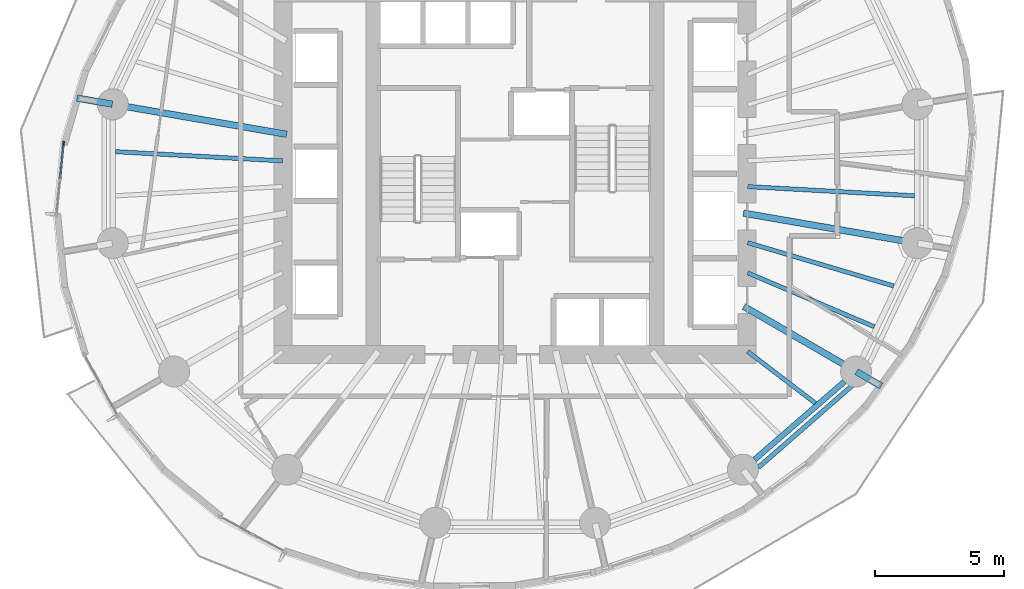
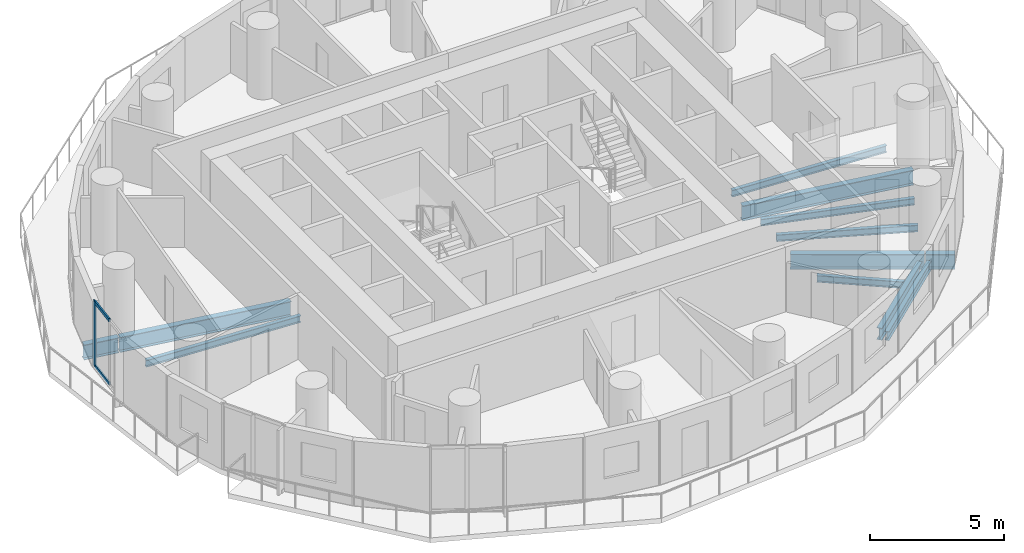
# One storey, part 3 of 14: 12 beams, 3 members, 1 element without a shape of its own.
"""IFC4 building model written with IfcOpenShell, lengths in metres."""

from ifc_helpers import new_model, si_unit, direction, frame, origin, origin_2d, place, context, subcontext, project, spatial, rectangle, i_section, extrude, material, material_profile, profile_set, type_object, element, aggregate, save


model = new_model("IFC4")

# Units and contexts
model_context = context("Model", 3, precision=1e-05, world=origin(), true_north=direction((0.0, 1.0)))
body_context = subcontext(model_context, "Body", "Model", "MODEL_VIEW")
ifc_project = project(units=[si_unit("LENGTHUNIT", "METRE"), si_unit("AREAUNIT", "SQUARE_METRE"), si_unit("VOLUMEUNIT", "CUBIC_METRE"), si_unit("PLANEANGLEUNIT", "RADIAN"), si_unit("MASSUNIT", "GRAM", prefix="KILO")], contexts=[model_context])

# Site, building, storey
site_placement = place(None, origin())
site = spatial("IfcSite", under=ifc_project, at=site_placement, CompositionType="ELEMENT")
building_placement = place(site_placement, origin())
building = spatial("IfcBuilding", under=site, at=building_placement, Name="Veldorim Arch Residences", CompositionType="ELEMENT")
storey_placement = place(building_placement, frame((0.0, 0.0, 99.679931640625)))
storey = spatial("IfcBuildingStorey", under=building, at=storey_placement, Name="L29", CompositionType="ELEMENT", Elevation=99.679931640625)

# Beams
ifc_material_1 = material(Name="Steel S355", Category="steel")
ifc_material_profile_1 = material_profile(ifc_material_1, i_section(OverallWidth=0.2119140625, OverallDepth=0.54443359375, WebThickness=0.0126953125, FlangeThickness=0.021240234375, at=origin_2d()), Name="UB533x210x122")
ifc_profile_set_1 = profile_set([ifc_material_profile_1], Name="Steel S355")
beam_type_1 = type_object("IfcBeamType", Name="Structural Steel Beam UB533x210x122", PredefinedType="BEAM", material=ifc_profile_set_1)
beam_1_placement = place(storey_placement, frame((41.28662109375, 12.9189453125, -0.51220703125), z_axis=(0.755244952556, 0.655442645576, 0.0), x_axis=(-0.655442645576, 0.755244952556, 0.0)))
element("IfcBeam", 1, at=beam_1_placement, inside=storey, type_object=beam_type_1, Name="L29 perimeter ring tie beam 14", PredefinedType="BEAM", context=body_context, shape_type="SweptSolid", body=[
    extrude(i_section(OverallWidth=0.2119140625, OverallDepth=0.54443359375, WebThickness=0.0126953125, FlangeThickness=0.021240234375, at=origin_2d()), origin(), (0.0, 0.0, 1.0), 4.608642578125),
])
ifc_material_2 = material(Name="Steel S355", Category="steel")
ifc_material_profile_2 = material_profile(ifc_material_2, i_section(OverallWidth=0.25439453125, OverallDepth=0.6875, WebThickness=0.01318359375, FlangeThickness=0.02099609375, at=origin_2d()), Name="UB686x254x152")
ifc_profile_set_2 = profile_set([ifc_material_profile_2], Name="Steel S355")
beam_type_2 = type_object("IfcBeamType", Name="Structural Steel GIRDER UB686x254x152", PredefinedType="USERDEFINED", material=ifc_profile_set_2)
beam_2_placement = place(storey_placement, frame((23.147705078125, 25.5283203125, -0.583740234375), z_axis=(-0.985426622718, 0.17010106184, 0.0), x_axis=(-0.17010106184, -0.985426622718, 0.0)))
element("IfcBeam", 2, at=beam_2_placement, inside=storey, type_object=beam_type_2, Name="L29 radial floor girder 08", ObjectType="GIRDER", PredefinedType="USERDEFINED", context=body_context, shape_type="SweptSolid", body=[
    extrude(i_section(OverallWidth=0.25439453125, OverallDepth=0.6875, WebThickness=0.01318359375, FlangeThickness=0.02099609375, at=origin_2d()), origin(), (0.0, 0.0, 1.0), 6.82177734375),
])
beam_3_placement = place(storey_placement, frame((16.3857421875, 26.695556640625, -0.583740234375), z_axis=(-0.985409418186, 0.170200700791, 0.0), x_axis=(-0.170200700791, -0.985409418186, 0.0)))
element("IfcBeam", 3, at=beam_3_placement, inside=storey, type_object=beam_type_2, Name="L29 radial edge cantilever girder 08", ObjectType="GIRDER", PredefinedType="USERDEFINED", context=body_context, shape_type="SweptSolid", body=[
    extrude(i_section(OverallWidth=0.25439453125, OverallDepth=0.6875, WebThickness=0.01318359375, FlangeThickness=0.02099609375, at=origin_2d()), origin(), (0.0, 0.0, 1.0), 1.391357421875),
])
beam_4_placement = place(storey_placement, frame((40.8701171875, 18.85595703125, -0.583740234375), z_axis=(0.865048957682, -0.501687453314, 0.0), x_axis=(0.501687453314, 0.865048957682, 0.0)))
element("IfcBeam", 4, at=beam_4_placement, inside=storey, type_object=beam_type_2, Name="L29 radial floor girder 15", ObjectType="GIRDER", PredefinedType="USERDEFINED", context=body_context, shape_type="SweptSolid", body=[
    extrude(i_section(OverallWidth=0.25439453125, OverallDepth=0.6875, WebThickness=0.01318359375, FlangeThickness=0.02099609375, at=origin_2d()), origin(), (0.0, 0.0, 1.0), 5.009033203125),
])
beam_5_placement = place(storey_placement, frame((45.23779296875, 16.322998046875, -0.583740234375), z_axis=(0.86508299699, -0.501628755474, 0.0), x_axis=(0.501628755474, 0.86508299699, 0.0)))
element("IfcBeam", 5, at=beam_5_placement, inside=storey, type_object=beam_type_2, Name="L29 radial edge cantilever girder 15", ObjectType="GIRDER", PredefinedType="USERDEFINED", context=body_context, shape_type="SweptSolid", body=[
    extrude(i_section(OverallWidth=0.25439453125, OverallDepth=0.6875, WebThickness=0.01318359375, FlangeThickness=0.02099609375, at=origin_2d()), origin(), (0.0, 0.0, 1.0), 1.104248046875),
])
beam_6_placement = place(storey_placement, frame((40.852294921875, 22.4716796875, -0.583740234375), z_axis=(0.985426622718, -0.17010106184, 0.0), x_axis=(0.17010106184, 0.985426622718, 0.0)))
element("IfcBeam", 6, at=beam_6_placement, inside=storey, type_object=beam_type_2, Name="L29 radial floor girder 16", ObjectType="GIRDER", PredefinedType="USERDEFINED", context=body_context, shape_type="SweptSolid", body=[
    extrude(i_section(OverallWidth=0.25439453125, OverallDepth=0.6875, WebThickness=0.01318359375, FlangeThickness=0.02099609375, at=origin_2d()), origin(), (0.0, 0.0, 1.0), 6.82177734375),
])
ifc_material_3 = material(Name="Steel S355", Category="steel")
ifc_material_profile_3 = material_profile(ifc_material_3, i_section(OverallWidth=0.165771484375, OverallDepth=0.306640625, WebThickness=0.006591796875, FlangeThickness=0.01171875, at=origin_2d()), Name="UB305x165x46")
ifc_profile_set_3 = profile_set([ifc_material_profile_3], Name="Steel S355")
beam_type_3 = type_object("IfcBeamType", Name="Structural Steel Joist UB305x165x46", PredefinedType="JOIST", material=ifc_profile_set_3)
beam_7_placement = place(storey_placement, frame((22.97998046875, 24.498291015625, -0.393310546875), z_axis=(-0.99847713097, 0.055167190702, 0.0), x_axis=(-0.055167190702, -0.99847713097, 0.0)))
element("IfcBeam", 7, at=beam_7_placement, inside=storey, type_object=beam_type_3, Name="L29 secondary radial floor joist 08-1", PredefinedType="JOIST", context=body_context, shape_type="SweptSolid", body=[
    extrude(i_section(OverallWidth=0.165771484375, OverallDepth=0.306640625, WebThickness=0.006591796875, FlangeThickness=0.01171875, at=origin_2d()), origin(), (0.0, 0.0, 1.0), 6.474365234375),
])
beam_8_placement = place(storey_placement, frame((41.015869140625, 17.111572265625, -0.393310546875), z_axis=(0.794594763594, -0.60714014994, 0.0), x_axis=(0.60714014994, 0.794594763594, 0.0)))
element("IfcBeam", 8, at=beam_8_placement, inside=storey, type_object=beam_type_3, Name="L29 secondary radial floor joist 14-2", PredefinedType="JOIST", context=body_context, shape_type="SweptSolid", body=[
    extrude(i_section(OverallWidth=0.165771484375, OverallDepth=0.306640625, WebThickness=0.006591796875, FlangeThickness=0.01171875, at=origin_2d()), origin(), (0.0, 0.0, 1.0), 3.30419921875),
])
beam_9_placement = place(storey_placement, frame((41.018310546875, 20.158447265625, -0.393310546875), z_axis=(0.919997395122, -0.391924473552, 0.0), x_axis=(0.391924473552, 0.919997395122, 0.0)))
element("IfcBeam", 9, at=beam_9_placement, inside=storey, type_object=beam_type_3, Name="L29 secondary radial floor joist 15-1", PredefinedType="JOIST", context=body_context, shape_type="SweptSolid", body=[
    extrude(i_section(OverallWidth=0.165771484375, OverallDepth=0.306640625, WebThickness=0.006591796875, FlangeThickness=0.01171875, at=origin_2d()), origin(), (0.0, 0.0, 1.0), 5.334716796875),
])
beam_10_placement = place(storey_placement, frame((41.019287109375, 21.326416015625, -0.393310546875), z_axis=(0.958753061488, -0.284240333324, 0.0), x_axis=(0.284240333324, 0.958753061488, 0.0)))
element("IfcBeam", 10, at=beam_10_placement, inside=storey, type_object=beam_type_3, Name="L29 secondary radial floor joist 15-2", PredefinedType="JOIST", context=body_context, shape_type="SweptSolid", body=[
    extrude(i_section(OverallWidth=0.165771484375, OverallDepth=0.306640625, WebThickness=0.006591796875, FlangeThickness=0.01171875, at=origin_2d()), origin(), (0.0, 0.0, 1.0), 5.906005859375),
])
beam_11_placement = place(storey_placement, frame((41.02001953125, 23.501708984375, -0.393310546875), z_axis=(0.99847713097, -0.055167190702, 0.0), x_axis=(0.055167190702, 0.99847713097, 0.0)))
element("IfcBeam", 11, at=beam_11_placement, inside=storey, type_object=beam_type_3, Name="L29 secondary radial floor joist 16-1", PredefinedType="JOIST", context=body_context, shape_type="SweptSolid", body=[
    extrude(i_section(OverallWidth=0.165771484375, OverallDepth=0.306640625, WebThickness=0.006591796875, FlangeThickness=0.01171875, at=origin_2d()), origin(), (0.0, 0.0, 1.0), 6.474365234375),
])
ifc_material_4 = material(Name="Steel S355", Category="steel")
ifc_material_profile_4 = material_profile(ifc_material_4, i_section(OverallWidth=0.1787109375, OverallDepth=0.409423828125, WebThickness=0.0087890625, FlangeThickness=0.014404296875, at=origin_2d()), Name="UB406x178x67")
ifc_profile_set_4 = profile_set([ifc_material_profile_4], Name="Steel S355")
beam_type_4 = type_object("IfcBeamType", Name="Structural Steel Spandrel UB406x178x67", PredefinedType="SPANDREL", material=ifc_profile_set_4)
beam_12_placement = place(storey_placement, frame((41.4326171875, 12.611572265625, -0.464599609375), z_axis=(0.753323239074, 0.65765043714, 0.0), x_axis=(-0.65765043714, 0.753323239074, 0.0)))
element("IfcBeam", 12, at=beam_12_placement, inside=storey, type_object=beam_type_4, Name="L29 perimeter chord spandrel beam 14", PredefinedType="SPANDREL", context=body_context, shape_type="SweptSolid", body=[
    extrude(i_section(OverallWidth=0.1787109375, OverallDepth=0.409423828125, WebThickness=0.0087890625, FlangeThickness=0.014404296875, at=origin_2d()), origin(), (0.0, 0.0, 1.0), 4.879150390625),
])

# Curtain wall, members
ifc_material_5 = material(Name="Aluminium", Category="aluminium")
curtain_wall_type = type_object("IfcCurtainWallType", Name="Zone 2 Solar-Control Unitised Curtain Wall", PredefinedType="NOTDEFINED", material=ifc_material_5)
curtain_wall_placement = place(storey_placement, origin())
curtain_wall = element("IfcCurtainWall", 13, at=curtain_wall_placement, inside=storey, type_object=curtain_wall_type, Name="L29 unitised curtain wall bay 16", PredefinedType="NOTDEFINED")
ifc_material_6 = material(Name="Aluminium", Category="aluminium")
ifc_material_profile_5 = material_profile(ifc_material_6, rectangle(XDim=0.06494140625, YDim=0.1650390625, at=origin_2d()), Name="ALU_MUL_65x165")
ifc_profile_set_5 = profile_set([ifc_material_profile_5], Name="Aluminium")
member_type_1 = type_object("IfcMemberType", Name="Zone 2 Solar-Control Unitised Curtain Wall Mullion 65x165", PredefinedType="MULLION", material=ifc_profile_set_5)
member_1_placement = place(storey_placement, frame((14.49755859375, 25.170654296875, 0.0), z_axis=(0.0, 0.0, 1.0), x_axis=(-0.995292751709, 0.096914077387, 0.0)))
member_1 = element("IfcMember", 14, at=member_1_placement, type_object=member_type_1, Name="CW-Z2 mullion 3", PredefinedType="MULLION", context=body_context, shape_type="SweptSolid", body=[
    extrude(rectangle(XDim=0.06494140625, YDim=0.1650390625, at=origin_2d()), origin(), (0.0, 0.0, 1.0), 2.9599609375),
])
ifc_material_7 = material(Name="Aluminium", Category="aluminium")
ifc_material_profile_6 = material_profile(ifc_material_7, rectangle(XDim=0.06494140625, YDim=0.14501953125, at=origin_2d()), Name="ALU_TRN_65x145")
ifc_profile_set_6 = profile_set([ifc_material_profile_6], Name="Aluminium")
member_type_2 = type_object("IfcMemberType", Name="Zone 2 Solar-Control Unitised Curtain Wall Transom 65x145", PredefinedType="USERDEFINED", material=ifc_profile_set_6)
member_2_placement = place(storey_placement, frame((14.366455078125, 23.8251953125, 0.032470703125), z_axis=(0.096956909459, 0.995288580115, 0.0), x_axis=(-0.995288580115, 0.096956909459, 0.0)))
member_2 = element("IfcMember", 15, at=member_2_placement, type_object=member_type_2, Name="CW-Z2 transom 2.1", ObjectType="TRANSOM", PredefinedType="USERDEFINED", context=body_context, shape_type="SweptSolid", body=[
    extrude(rectangle(XDim=0.06494140625, YDim=0.14501953125, at=origin_2d()), origin(), (0.0, 0.0, 1.0), 1.3193359375),
])
member_3_placement = place(storey_placement, frame((14.366455078125, 23.8251953125, 2.927490234375), z_axis=(0.096956909459, 0.995288580115, 0.0), x_axis=(-0.995288580115, 0.096956909459, 0.0)))
member_3 = element("IfcMember", 16, at=member_3_placement, type_object=member_type_2, Name="CW-Z2 transom 2.2", ObjectType="TRANSOM", PredefinedType="USERDEFINED", context=body_context, shape_type="SweptSolid", body=[
    extrude(rectangle(XDim=0.06494140625, YDim=0.14501953125, at=origin_2d()), origin(), (0.0, 0.0, 1.0), 1.3193359375),
])
aggregate(curtain_wall, [member_1, member_2, member_3])

save(model, "model.ifc")
